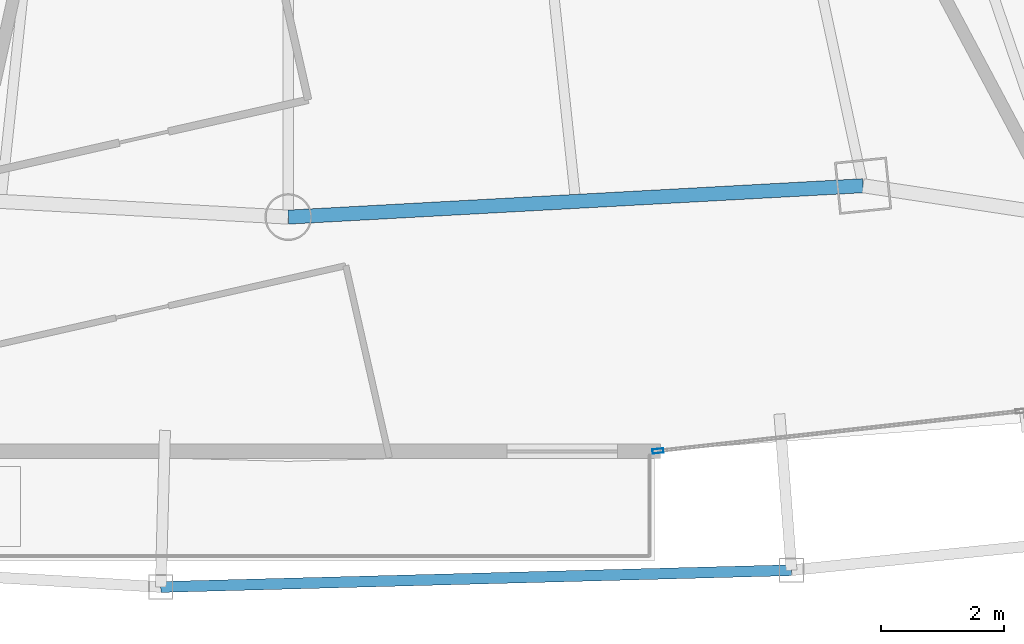
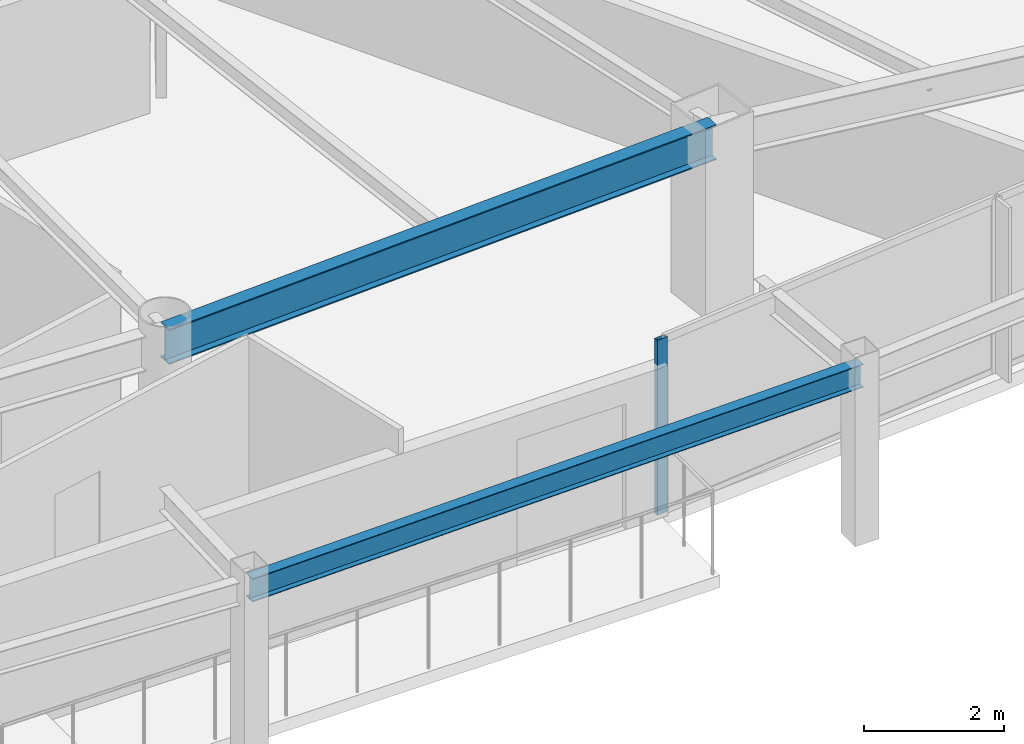
# One storey, part 8 of 33: 2 beams, 1 member, 1 element without a shape of its own.
"""IFC4 building model written with IfcOpenShell, lengths in metres."""

from ifc_helpers import new_model, si_unit, direction, frame, origin, origin_2d, place, context, subcontext, project, spatial, hollow_rectangle, i_section, extrude, material, layer, layer_set, material_profile, profile_set, type_object, element, aggregate, save


model = new_model("IFC4")

# Units and contexts
model_context = context("Model", 3, precision=1e-05, world=origin(), true_north=direction((0.0, 1.0)))
body_context = subcontext(model_context, "Body", "Model", "MODEL_VIEW")
ifc_project = project(units=[si_unit("LENGTHUNIT", "METRE"), si_unit("AREAUNIT", "SQUARE_METRE"), si_unit("VOLUMEUNIT", "CUBIC_METRE"), si_unit("PLANEANGLEUNIT", "RADIAN"), si_unit("MASSUNIT", "GRAM", prefix="KILO")], contexts=[model_context])

# Site, building, storey
site_placement = place(None, origin())
site = spatial("IfcSite", under=ifc_project, at=site_placement, CompositionType="ELEMENT")
building_placement = place(site_placement, origin())
building = spatial("IfcBuilding", under=site, at=building_placement, Name="Orvanel Arch Residences", CompositionType="ELEMENT")
storey_placement = place(building_placement, frame((0.0, 0.0, 119.89990234375)))
storey = spatial("IfcBuildingStorey", under=building, at=storey_placement, Name="L33", CompositionType="ELEMENT", Elevation=119.89990234375)

# Curtain wall, member
ifc_material_1 = material(Name="Bronze-anodised aluminium AA6063-T6", Category="aluminium")
ifc_layer = layer(ifc_material_1, 0.179931640625)
ifc_layer_set = layer_set([ifc_layer], Name="Bronze-anodised aluminium AA6063-T6")
curtain_wall_type = type_object("IfcCurtainWallType", Name="CW3-MID-SYS", PredefinedType="NOTDEFINED", material=ifc_layer_set)
curtain_wall_placement = place(storey_placement, origin())
curtain_wall = element("IfcCurtainWall", 1, at=curtain_wall_placement, inside=storey, type_object=curtain_wall_type, Name="L33 CW3-MID-SYS Unitised Curtain Wall", PredefinedType="NOTDEFINED")
ifc_material_profile_1 = material_profile(ifc_material_1, hollow_rectangle(XDim=0.070068359375, YDim=0.179931640625, WallThickness=0.00439453125, at=origin_2d()), Name="ALU180x70x4.5")
ifc_profile_set_1 = profile_set([ifc_material_profile_1], Name="Bronze-anodised aluminium AA6063-T6")
member_type = type_object("IfcMemberType", Name="MUL-180x70", PredefinedType="MULLION", material=ifc_profile_set_1)
member_placement = place(storey_placement, frame((39.013671875, 3.038818359375, 0.0), z_axis=(0.0, 0.0, 1.0), x_axis=(-0.109397745116, 0.99399805501, 0.0)))
member = element("IfcMember", 2, at=member_placement, type_object=member_type, Name="CW-S3 mullion 1", PredefinedType="MULLION", context=body_context, shape_type="SweptSolid", body=[
    extrude(hollow_rectangle(XDim=0.070068359375, YDim=0.179931640625, WallThickness=0.00439453125, at=origin_2d()), origin(), (0.0, 0.0, 1.0), 3.06005859375),
])
aggregate(curtain_wall, [member])

# Beams
ifc_material_2 = material(Name="Structural steel AS/NZS 3679.1 Grade 300 (300 MPa)", Category="steel")
ifc_material_profile_2 = material_profile(ifc_material_2, i_section(OverallWidth=0.177978515625, OverallDepth=0.406005859375, WebThickness=0.0078125, FlangeThickness=0.0126953125, at=origin_2d()), Name="410UB59.7")
ifc_profile_set_2 = profile_set([ifc_material_profile_2], Name="Structural steel AS/NZS 3679.1 Grade 300 (300 MPa)")
beam_type_1 = type_object("IfcBeamType", Name="OB-410UB-EXT", PredefinedType="SPANDREL", material=ifc_profile_set_2)
beam_1_placement = place(storey_placement, frame((30.924072265625, 0.825927734375, 2.857177734375), z_axis=(0.999645891771, 0.026609980562, 0.0), x_axis=(-0.026609980562, 0.999645891771, 0.0)))
element("IfcBeam", 3, at=beam_1_placement, inside=storey, type_object=beam_type_1, Name="L33 Outer Perimeter Floor Ring Beam 06", PredefinedType="SPANDREL", context=body_context, shape_type="SweptSolid", body=[
    extrude(i_section(OverallWidth=0.177978515625, OverallDepth=0.406005859375, WebThickness=0.0078125, FlangeThickness=0.0126953125, at=origin_2d()), origin(), (0.0, 0.0, 1.0), 10.2666015625),
])
ifc_material_profile_3 = material_profile(ifc_material_2, i_section(OverallWidth=0.22900390625, OverallDepth=0.612060546875, WebThickness=0.011962890625, FlangeThickness=0.01953125, at=origin_2d()), Name="610UB125")
ifc_profile_set_3 = profile_set([ifc_material_profile_3], Name="Structural steel AS/NZS 3679.1 Grade 300 (300 MPa)")
beam_type_2 = type_object("IfcBeamType", Name="SP-610UB", PredefinedType="SPANDREL", material=ifc_profile_set_3)
beam_2_placement = place(storey_placement, frame((33.0, 6.843994140625, 2.754150390625), z_axis=(0.998510315598, 0.054563262768, 0.0), x_axis=(-0.054563262768, 0.998510315598, 0.0)))
element("IfcBeam", 4, at=beam_2_placement, inside=storey, type_object=beam_type_2, Name="L33 Perimeter Spandrel Beam 06", PredefinedType="SPANDREL", context=body_context, shape_type="SweptSolid", body=[
    extrude(i_section(OverallWidth=0.22900390625, OverallDepth=0.612060546875, WebThickness=0.011962890625, FlangeThickness=0.01953125, at=origin_2d()), origin(), (0.0, 0.0, 1.0), 9.364990234375),
])

save(model, "model.ifc")
